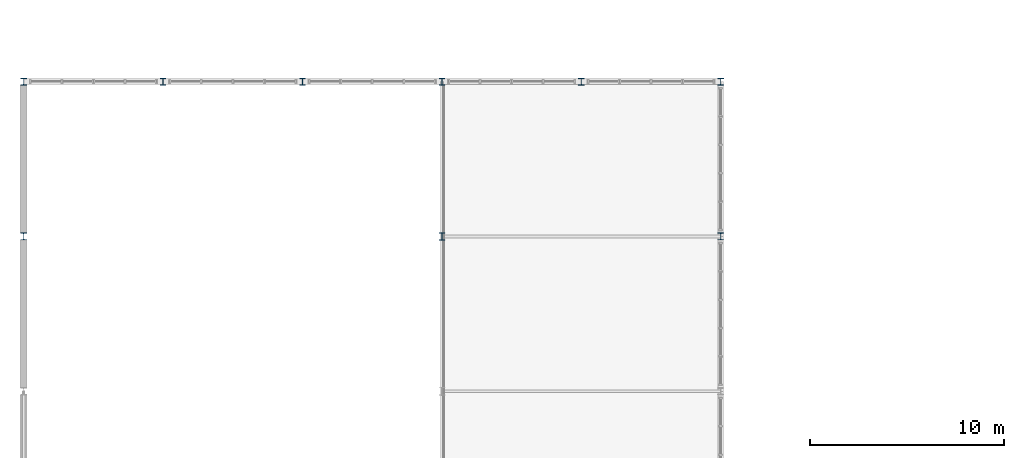
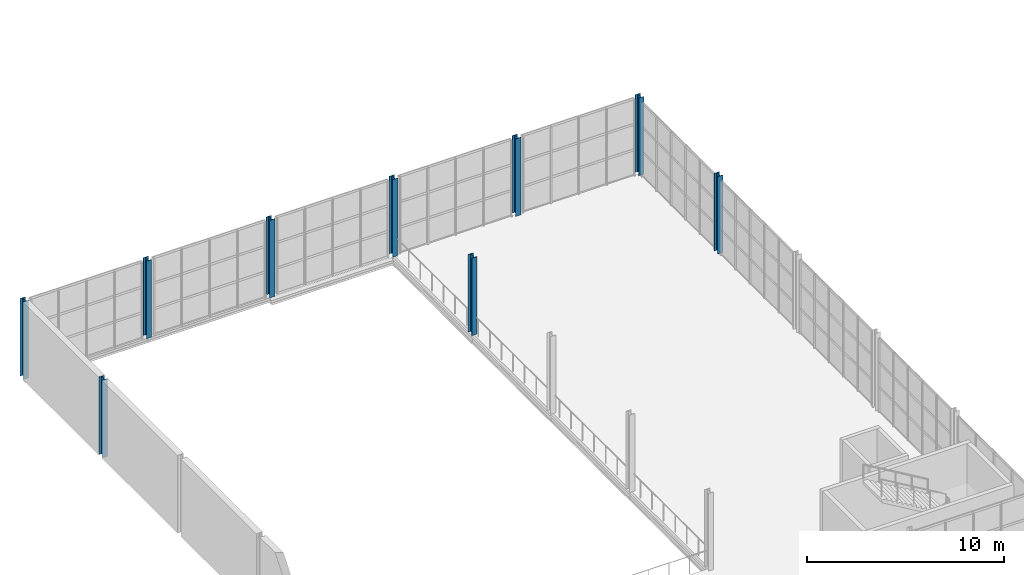
# One storey, part 10 of 143: 9 columns.
"""IFC4 building model written with IfcOpenShell, lengths in metres."""

from ifc_helpers import new_model, si_unit, derived_unit, direction, frame, origin, origin_2d, place, context, subcontext, project, spatial, i_section, extrude, material, material_profile, profile_set, type_object, element, save


model = new_model("IFC4")

# Units and contexts
model_context = context("Model", 3, precision=1e-05, world=origin(), true_north=direction((0.0, 1.0)))
body_context = subcontext(model_context, "Body", "Model", "MODEL_VIEW")
ifc_project = project(units=[si_unit("LENGTHUNIT", "METRE"), si_unit("AREAUNIT", "SQUARE_METRE"), si_unit("VOLUMEUNIT", "CUBIC_METRE"), si_unit("PLANEANGLEUNIT", "RADIAN"), si_unit("MASSUNIT", "GRAM", prefix="KILO"), derived_unit("THERMALTRANSMITTANCEUNIT", [(si_unit("POWERUNIT", "WATT"), 1), (si_unit("LENGTHUNIT", "METRE"), -2), (si_unit("THERMODYNAMICTEMPERATUREUNIT", "KELVIN"), -1)])], contexts=[model_context])

# Site, building, storey
site_placement = place(None, origin())
site = spatial("IfcSite", under=ifc_project, at=site_placement, CompositionType="ELEMENT")
building_placement = place(site_placement, origin())
building = spatial("IfcBuilding", under=site, at=building_placement, Name="Keldorne Ridge Multi-Sports Centre", CompositionType="ELEMENT")
storey_placement = place(building_placement, frame((0.0, 0.0, 4.800048828125)))
storey = spatial("IfcBuildingStorey", under=building, at=storey_placement, Name="L01", CompositionType="ELEMENT", Elevation=4.800048828125)

# Columns
ifc_material = material(Name="Steel S355", Category="steel")
ifc_material_profile_1 = material_profile(ifc_material, i_section(OverallWidth=0.300048828125, OverallDepth=0.360107421875, WebThickness=0.012451171875, FlangeThickness=0.0224609375, FilletRadius=0.027099609375, at=origin_2d()), Name="HEB 360")
ifc_profile_set_1 = profile_set([ifc_material_profile_1], Name="Steel S355")
column_type_1 = type_object("IfcColumnType", Name="COL-C-10", PredefinedType="COLUMN", material=ifc_profile_set_1)
for number, where, z_axis, x_axis, name in (
    (1, (6.0, 114.0, 0.0), (0.0, 0.0, 1.0), (1.0, 0.0, 0.0), "Structural column V3-PER-N-01 on L01"),
    (2, (13.199951171875, 114.0, 0.0), (0.0, 0.0, 1.0), (1.0, 0.0, 0.0), "Structural column V3-PER-N-02 on L01"),
    (3, (20.39990234375, 114.0, 0.0), (0.0, 0.0, 1.0), (1.0, 0.0, 0.0), "Structural column V3-PER-N-03 on L01"),
    (4, (27.60009765625, 114.0, 0.0), (0.0, 0.0, 1.0), (1.0, 0.0, 0.0), "Structural column V3-PER-N-04 on L01"),
    (5, (34.800048828125, 114.0, 0.0), (0.0, 0.0, 1.0), (1.0, 0.0, 0.0), "Structural column V3-PER-N-05 on L01"),
    (6, (42.0, 114.0, 0.0), (0.0, 0.0, 1.0), (1.0, 0.0, 0.0), "Structural column V3-PER-N-06 on L01"),
    (7, (6.0, 106.0, 0.0), (0.0, 0.0, 1.0), (1.0, 0.0, 0.0), "Structural column V3-SIDE-W-05 on L01"),
    (8, (42.0, 106.0, 0.0), (0.0, 0.0, 1.0), (1.0, 0.0, 0.0), "Structural column V3-SIDE-E-05 on L01"),
):
    element("IfcColumn", number, at=place(storey_placement, frame(where, z_axis=z_axis, x_axis=x_axis)), inside=storey, type_object=column_type_1, Name=name, PredefinedType="COLUMN", context=body_context, shape_type="SweptSolid", body=[
        extrude(i_section(OverallWidth=0.300048828125, OverallDepth=0.360107421875, WebThickness=0.012451171875, FlangeThickness=0.0224609375, FilletRadius=0.027099609375, at=origin_2d()), origin(), (0.0, 0.0, 1.0), 4.800048828125),
    ])
ifc_material_profile_2 = material_profile(ifc_material, i_section(OverallWidth=0.300048828125, OverallDepth=0.389892578125, WebThickness=0.010986328125, FlangeThickness=0.01904296875, FilletRadius=0.027099609375, at=origin_2d()), Name="HEA 400")
ifc_profile_set_2 = profile_set([ifc_material_profile_2], Name="Steel S355")
column_type_2 = type_object("IfcColumnType", Name="COL-C-15", PredefinedType="COLUMN", material=ifc_profile_set_2)
column_placement = place(storey_placement, frame((27.60009765625, 106.0, 0.0), z_axis=(0.0, 0.0, 1.0), x_axis=(1.0, 0.0, 0.0)))
element("IfcColumn", 9, at=column_placement, inside=storey, type_object=column_type_2, Name="Structural column V3-GAL-05 on L01", PredefinedType="COLUMN", context=body_context, shape_type="SweptSolid", body=[
    extrude(i_section(OverallWidth=0.300048828125, OverallDepth=0.389892578125, WebThickness=0.010986328125, FlangeThickness=0.01904296875, FilletRadius=0.027099609375, at=origin_2d()), origin(), (0.0, 0.0, 1.0), 4.800048828125),
])

save(model, "model.ifc")
